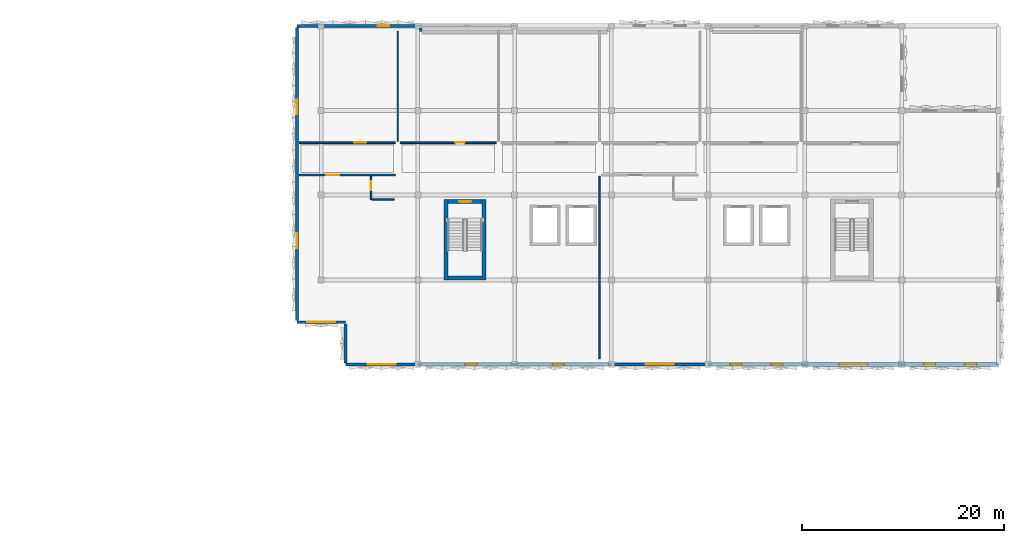
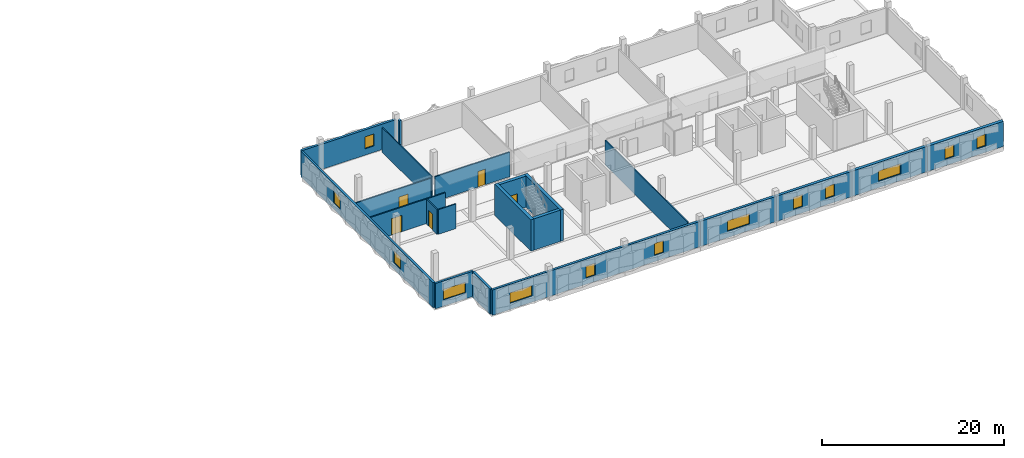
# One storey, part 9 of 18: 22 walls, 13 windows, 5 doors, 18 openings.
"""IFC4 building model written with IfcOpenShell, lengths in metres."""

from ifc_helpers import new_model, si_unit, direction, frame, frame_2d, origin, place, context, subcontext, project, spatial, rectangle, extrude, material, layer, layer_set, type_object, element, fill, save


model = new_model("IFC4")

# Units and contexts
model_context = context("Model", 3, precision=1e-05, world=origin(), true_north=direction((0.0, 1.0)))
body_context = subcontext(model_context, "Body", "Model", "MODEL_VIEW")
ifc_project = project(units=[si_unit("LENGTHUNIT", "METRE"), si_unit("AREAUNIT", "SQUARE_METRE"), si_unit("VOLUMEUNIT", "CUBIC_METRE"), si_unit("PLANEANGLEUNIT", "RADIAN"), si_unit("MASSUNIT", "GRAM", prefix="KILO")], contexts=[model_context])

# Site, building, storey
site_placement = place(None, origin())
site = spatial("IfcSite", under=ifc_project, at=site_placement, CompositionType="ELEMENT")
building_placement = place(site_placement, origin())
building = spatial("IfcBuilding", under=site, at=building_placement, Name="Oolite Switchyard Hospital", CompositionType="ELEMENT")
storey_placement = place(building_placement, frame((0.0, 0.0, 26.199951171875)))
storey = spatial("IfcBuildingStorey", under=building, at=storey_placement, Name="L06", CompositionType="ELEMENT", Elevation=26.199951171875)

# Wall, opening, window
ifc_material_1 = material(Name="Precast oolitic limestone architectural concrete C40/50", Category="masonry")
ifc_layer_1 = layer(ifc_material_1, 0.260009765625)
ifc_layer_set_1 = layer_set([ifc_layer_1], Name="WAL-EXT-260")
wall_type_1 = type_object("IfcWallType", Name="WAL-EXT-260", PredefinedType="SOLIDWALL", material=ifc_layer_set_1)
wall_1_placement = place(storey_placement, frame((146.39990234375, 105.0, 0.0), z_axis=(0.0, 0.0, 1.0), x_axis=(-1.0, 0.0, 0.0)))
wall_1 = element("IfcWall", 1, at=wall_1_placement, inside=storey, type_object=wall_type_1, Name="L06 Exterior Spandrel Wall 358", PredefinedType="SOLIDWALL", context=body_context, shape_type="SweptSolid", body=[
    extrude(rectangle(XDim=4.7998046875, YDim=0.260009765625, at=frame_2d((2.39990234375, 0.0))), origin(), (0.0, 0.0, 1.0), 3.39013671875),
])
opening_1_placement = place(wall_1_placement, frame((1.0, 0.0, 0.85009765625)))
opening_1 = element("IfcOpeningElement", 2, at=opening_1_placement, cuts=wall_1, Name="Opening WN-0232", PredefinedType="OPENING", context=body_context, shape_type="SweptSolid", body=[
    extrude(rectangle(XDim=2.800048828125, YDim=1.39990234375, at=frame_2d((1.39990234375, 0.699951171875))), frame((0.0, 0.14013671875, 0.0), z_axis=(0.0, -1.0, 0.0), x_axis=(1.0, 0.0, 0.0)), (0.0, 0.0, 1.0), 0.280029296875),
])
ifc_material_2 = material(Name="Thermally broken aluminum frame with laminated impact glazing", Category="aluminium")
window_type_1 = type_object("IfcWindowType", Name="WIN-IMP-280X140", PartitioningType="SINGLE_PANEL", PredefinedType="WINDOW", material=ifc_material_2)
window_1_placement = place(opening_1_placement, origin())
window_1 = element("IfcWindow", 3, at=window_1_placement, inside=storey, type_object=window_type_1, Name="L06 Hurricane Impact Window WN-0232", OverallHeight=1.39990234375, OverallWidth=2.800048828125, PartitioningType="SINGLE_PANEL", PredefinedType="WINDOW", context=body_context, shape_type="SweptSolid", body=[
    extrude(rectangle(XDim=2.800048828125, YDim=1.39990234375, at=frame_2d((1.39990234375, 0.699951171875))), frame((0.0, 0.030029296875, 0.0), z_axis=(0.0, -1.0, 0.0), x_axis=(1.0, 0.0, 0.0)), (0.0, 0.0, 1.0), 0.06005859375),
])
fill(opening_1, window_1)

# Wall
wall_2_placement = place(storey_placement, frame((153.8798828125, 134.199951171875, 0.0), z_axis=(0.0, 0.0, 1.0), x_axis=(0.0, -1.0, 0.0)))
element("IfcWall", 4, at=wall_2_placement, inside=storey, type_object=wall_type_1, Name="L06 Brace Alcove Cheek Wall 361", PredefinedType="SOLIDWALL", context=body_context, shape_type="SweptSolid", body=[
    extrude(rectangle(XDim=0.35986328125, YDim=0.260009765625, at=frame_2d((0.179931640625, 0.0))), origin(), (0.0, 0.0, 1.0), 3.39013671875),
])

# Wall, openings, windows
wall_3_placement = place(storey_placement, frame((141.60009765625, 105.159912109375, 0.0), z_axis=(0.0, 0.0, 1.0), x_axis=(0.0, 1.0, 0.0)))
wall_3 = element("IfcWall", 5, at=wall_3_placement, inside=storey, type_object=wall_type_1, Name="L06 Exterior Spandrel Wall 379", PredefinedType="SOLIDWALL", context=body_context, shape_type="SweptSolid", body=[
    extrude(rectangle(XDim=29.080078125, YDim=0.260009765625, at=frame_2d((14.5400390625, 0.0))), origin(), (0.0, 0.0, 1.0), 3.39013671875),
])
opening_2_placement = place(wall_3_placement, frame((7.18408203125, 0.0, 0.85009765625)))
opening_2 = element("IfcOpeningElement", 6, at=opening_2_placement, cuts=wall_3, Name="Opening WN-0242", PredefinedType="OPENING", context=body_context, shape_type="SweptSolid", body=[
    extrude(rectangle(XDim=1.449951171875, YDim=1.60009765625, at=frame_2d((0.72509765625, 0.800048828125))), frame((0.0, 0.14013671875, 0.0), z_axis=(0.0, -1.0, 0.0), x_axis=(1.0, 0.0, 0.0)), (0.0, 0.0, 1.0), 0.280029296875),
])
opening_3_placement = place(wall_3_placement, frame((20.446044921875, 0.0, 0.85009765625)))
opening_3 = element("IfcOpeningElement", 7, at=opening_3_placement, cuts=wall_3, Name="Opening WN-0243", PredefinedType="OPENING", context=body_context, shape_type="SweptSolid", body=[
    extrude(rectangle(XDim=1.449951171875, YDim=1.60009765625, at=frame_2d((0.72509765625, 0.800048828125))), frame((0.0, 0.14013671875, 0.0), z_axis=(0.0, -1.0, 0.0), x_axis=(1.0, 0.0, 0.0)), (0.0, 0.0, 1.0), 0.280029296875),
])
window_type_2 = type_object("IfcWindowType", Name="WIN-IMP-145X160", PartitioningType="SINGLE_PANEL", PredefinedType="WINDOW", material=ifc_material_2)
window_2_placement = place(opening_2_placement, origin())
window_2 = element("IfcWindow", 8, at=window_2_placement, inside=storey, type_object=window_type_2, Name="L06 Hurricane Impact Window WN-0242", OverallHeight=1.60009765625, OverallWidth=1.449951171875, PartitioningType="SINGLE_PANEL", PredefinedType="WINDOW", context=body_context, shape_type="SweptSolid", body=[
    extrude(rectangle(XDim=1.449951171875, YDim=1.60009765625, at=frame_2d((0.72509765625, 0.800048828125))), frame((0.0, 0.030029296875, 0.0), z_axis=(0.0, -1.0, 0.0), x_axis=(1.0, 0.0, 0.0)), (0.0, 0.0, 1.0), 0.06005859375),
])
fill(opening_2, window_2)
window_3_placement = place(opening_3_placement, origin())
window_3 = element("IfcWindow", 9, at=window_3_placement, inside=storey, type_object=window_type_2, Name="L06 Hurricane Impact Window WN-0243", OverallHeight=1.60009765625, OverallWidth=1.449951171875, PartitioningType="SINGLE_PANEL", PredefinedType="WINDOW", context=body_context, shape_type="SweptSolid", body=[
    extrude(rectangle(XDim=1.449951171875, YDim=1.60009765625, at=frame_2d((0.72509765625, 0.800048828125))), frame((0.0, 0.030029296875, 0.0), z_axis=(0.0, -1.0, 0.0), x_axis=(1.0, 0.0, 0.0)), (0.0, 0.0, 1.0), 0.06005859375),
])
fill(opening_3, window_3)

# Wall, opening, window
ifc_layer_2 = layer(ifc_material_1, 0.280029296875)
ifc_layer_set_2 = layer_set([ifc_layer_2], Name="WAL-EXT-280")
wall_type_2 = type_object("IfcWallType", Name="WAL-EXT-280", PredefinedType="SOLIDWALL", material=ifc_layer_set_2)
wall_4_placement = place(storey_placement, frame((153.60009765625, 100.800048828125, 0.0), z_axis=(0.0, 0.0, 1.0), x_axis=(-1.0, 0.0, 0.0)))
wall_4 = element("IfcWall", 10, at=wall_4_placement, inside=storey, type_object=wall_type_2, Name="L06 Exterior Spandrel Wall 352", PredefinedType="SOLIDWALL", context=body_context, shape_type="SweptSolid", body=[
    extrude(rectangle(XDim=7.2001953125, YDim=0.280029296875, at=frame_2d((3.60009765625, 0.0))), origin(), (0.0, 0.0, 1.0), 3.39013671875),
])
opening_4_placement = place(wall_4_placement, frame((2.199951171875, 0.0, 0.85009765625)))
opening_4 = element("IfcOpeningElement", 11, at=opening_4_placement, cuts=wall_4, Name="Opening WN-0223", PredefinedType="OPENING", context=body_context, shape_type="SweptSolid", body=[
    extrude(rectangle(XDim=2.800048828125, YDim=1.39990234375, at=frame_2d((1.39990234375, 0.699951171875))), frame((0.0, 0.14990234375, 0.0), z_axis=(0.0, -1.0, 0.0), x_axis=(1.0, 0.0, 0.0)), (0.0, 0.0, 1.0), 0.300048828125),
])
window_4_placement = place(opening_4_placement, origin())
window_4 = element("IfcWindow", 12, at=window_4_placement, inside=storey, type_object=window_type_1, Name="L06 Hurricane Impact Window WN-0223", OverallHeight=1.39990234375, OverallWidth=2.800048828125, PartitioningType="SINGLE_PANEL", PredefinedType="WINDOW", context=body_context, shape_type="SweptSolid", body=[
    extrude(rectangle(XDim=2.800048828125, YDim=1.39990234375, at=frame_2d((1.39990234375, 0.699951171875))), frame((0.0, 0.030029296875, 0.0), z_axis=(0.0, -1.0, 0.0), x_axis=(1.0, 0.0, 0.0)), (0.0, 0.0, 1.0), 0.06005859375),
])
fill(opening_4, window_4)

# Wall
wall_5_placement = place(storey_placement, frame((146.39990234375, 100.9599609375, 0.0), z_axis=(0.0, 0.0, 1.0), x_axis=(0.0, 1.0, 0.0)))
element("IfcWall", 13, at=wall_5_placement, inside=storey, type_object=wall_type_2, Name="L06 Exterior Spandrel Wall 380", PredefinedType="SOLIDWALL", context=body_context, shape_type="SweptSolid", body=[
    extrude(rectangle(XDim=3.880126953125, YDim=0.280029296875, at=frame_2d((1.93994140625, 0.0))), origin(), (0.0, 0.0, 1.0), 3.39013671875),
])

# Wall, openings, windows
ifc_layer_3 = layer(ifc_material_1, 0.300048828125)
ifc_layer_set_3 = layer_set([ifc_layer_3], Name="WAL-EXT-300")
wall_type_3 = type_object("IfcWallType", Name="WAL-EXT-300", PredefinedType="SOLIDWALL", material=ifc_layer_set_3)
wall_6_placement = place(storey_placement, frame((172.800048828125, 100.800048828125, 0.0), z_axis=(0.0, 0.0, 1.0), x_axis=(-1.0, 0.0, 0.0)))
wall_6 = element("IfcWall", 14, at=wall_6_placement, inside=storey, type_object=wall_type_3, Name="L06 Exterior Spandrel Wall 353", PredefinedType="SOLIDWALL", context=body_context, shape_type="SweptSolid", body=[
    extrude(rectangle(XDim=19.199951171875, YDim=0.300048828125, at=frame_2d((9.60009765625, 0.0))), origin(), (0.0, 0.0, 1.0), 3.39013671875),
])
opening_5_placement = place(wall_6_placement, frame((4.693115234375, 0.0, 0.85009765625)))
opening_5 = element("IfcOpeningElement", 15, at=opening_5_placement, cuts=wall_6, Name="Opening WN-0224", PredefinedType="OPENING", context=body_context, shape_type="SweptSolid", body=[
    extrude(rectangle(XDim=1.14990234375, YDim=1.60009765625, at=frame_2d((0.574951171875, 0.800048828125))), frame((0.0, 0.16015625, 0.0), z_axis=(0.0, -1.0, 0.0), x_axis=(1.0, 0.0, 0.0)), (0.0, 0.0, 1.0), 0.320068359375),
])
opening_6_placement = place(wall_6_placement, frame((13.35693359375, 0.0, 0.85009765625)))
opening_6 = element("IfcOpeningElement", 16, at=opening_6_placement, cuts=wall_6, Name="Opening WN-0225", PredefinedType="OPENING", context=body_context, shape_type="SweptSolid", body=[
    extrude(rectangle(XDim=1.14990234375, YDim=1.60009765625, at=frame_2d((0.574951171875, 0.800048828125))), frame((0.0, 0.16015625, 0.0), z_axis=(0.0, -1.0, 0.0), x_axis=(1.0, 0.0, 0.0)), (0.0, 0.0, 1.0), 0.320068359375),
])
window_type_3 = type_object("IfcWindowType", Name="WIN-IMP-115X160", PartitioningType="SINGLE_PANEL", PredefinedType="WINDOW", material=ifc_material_2)
window_5_placement = place(opening_5_placement, origin())
window_5 = element("IfcWindow", 17, at=window_5_placement, inside=storey, type_object=window_type_3, Name="L06 Hurricane Impact Window WN-0224", OverallHeight=1.60009765625, OverallWidth=1.14990234375, PartitioningType="SINGLE_PANEL", PredefinedType="WINDOW", context=body_context, shape_type="SweptSolid", body=[
    extrude(rectangle(XDim=1.14990234375, YDim=1.60009765625, at=frame_2d((0.574951171875, 0.800048828125))), frame((0.0, 0.030029296875, 0.0), z_axis=(0.0, -1.0, 0.0), x_axis=(1.0, 0.0, 0.0)), (0.0, 0.0, 1.0), 0.06005859375),
])
fill(opening_5, window_5)
window_6_placement = place(opening_6_placement, origin())
window_6 = element("IfcWindow", 18, at=window_6_placement, inside=storey, type_object=window_type_3, Name="L06 Hurricane Impact Window WN-0225", OverallHeight=1.60009765625, OverallWidth=1.14990234375, PartitioningType="SINGLE_PANEL", PredefinedType="WINDOW", context=body_context, shape_type="SweptSolid", body=[
    extrude(rectangle(XDim=1.14990234375, YDim=1.60009765625, at=frame_2d((0.574951171875, 0.800048828125))), frame((0.0, 0.030029296875, 0.0), z_axis=(0.0, -1.0, 0.0), x_axis=(1.0, 0.0, 0.0)), (0.0, 0.0, 1.0), 0.06005859375),
])
fill(opening_6, window_6)

# Wall, opening, window
wall_7_placement = place(storey_placement, frame((141.60009765625, 134.39990234375, 0.0), z_axis=(0.0, 0.0, 1.0), x_axis=(1.0, 0.0, 0.0)))
wall_7 = element("IfcWall", 19, at=wall_7_placement, inside=storey, type_object=wall_type_3, Name="L06 Exterior Spandrel Wall 360", PredefinedType="SOLIDWALL", context=body_context, shape_type="SweptSolid", body=[
    extrude(rectangle(XDim=12.0, YDim=0.300048828125, at=frame_2d((6.0, 0.0))), origin(), (0.0, 0.0, 1.0), 3.39013671875),
])
opening_7_placement = place(wall_7_placement, frame((8.029052734375, 0.0, 0.85009765625)))
opening_7 = element("IfcOpeningElement", 20, at=opening_7_placement, cuts=wall_7, Name="Opening WN-0235", PredefinedType="OPENING", context=body_context, shape_type="SweptSolid", body=[
    extrude(rectangle(XDim=1.14990234375, YDim=1.60009765625, at=frame_2d((0.574951171875, 0.800048828125))), frame((0.0, 0.16015625, 0.0), z_axis=(0.0, -1.0, 0.0), x_axis=(1.0, 0.0, 0.0)), (0.0, 0.0, 1.0), 0.320068359375),
])
window_7_placement = place(opening_7_placement, origin())
window_7 = element("IfcWindow", 21, at=window_7_placement, inside=storey, type_object=window_type_3, Name="L06 Hurricane Impact Window WN-0235", OverallHeight=1.60009765625, OverallWidth=1.14990234375, PartitioningType="SINGLE_PANEL", PredefinedType="WINDOW", context=body_context, shape_type="SweptSolid", body=[
    extrude(rectangle(XDim=1.14990234375, YDim=1.60009765625, at=frame_2d((0.574951171875, 0.800048828125))), frame((0.0, 0.030029296875, 0.0), z_axis=(0.0, -1.0, 0.0), x_axis=(1.0, 0.0, 0.0)), (0.0, 0.0, 1.0), 0.06005859375),
])
fill(opening_7, window_7)

ifc_layer_4 = layer(ifc_material_1, 0.320068359375)
ifc_layer_set_4 = layer_set([ifc_layer_4], Name="WAL-EXT-320")
wall_type_4 = type_object("IfcWallType", Name="WAL-EXT-320", PredefinedType="SOLIDWALL", material=ifc_layer_set_4)
wall_8_placement = place(storey_placement, frame((182.39990234375, 100.800048828125, 0.0), z_axis=(0.0, 0.0, 1.0), x_axis=(-1.0, 0.0, 0.0)))
wall_8 = element("IfcWall", 22, at=wall_8_placement, inside=storey, type_object=wall_type_4, Name="L06 Exterior Spandrel Wall 354", PredefinedType="SOLIDWALL", context=body_context, shape_type="SweptSolid", body=[
    extrude(rectangle(XDim=9.599853515625, YDim=0.320068359375, at=frame_2d((4.7998046875, 0.0))), origin(), (0.0, 0.0, 1.0), 3.39013671875),
])
opening_8_placement = place(wall_8_placement, frame((3.39990234375, 0.0, 0.85009765625)))
opening_8 = element("IfcOpeningElement", 23, at=opening_8_placement, cuts=wall_8, Name="Opening WN-0226", PredefinedType="OPENING", context=body_context, shape_type="SweptSolid", body=[
    extrude(rectangle(XDim=2.800048828125, YDim=1.39990234375, at=frame_2d((1.39990234375, 0.699951171875))), frame((0.0, 0.169921875, 0.0), z_axis=(0.0, -1.0, 0.0), x_axis=(1.0, 0.0, 0.0)), (0.0, 0.0, 1.0), 0.340087890625),
])
window_8_placement = place(opening_8_placement, origin())
window_8 = element("IfcWindow", 24, at=window_8_placement, inside=storey, type_object=window_type_1, Name="L06 Hurricane Impact Window WN-0226", OverallHeight=1.39990234375, OverallWidth=2.800048828125, PartitioningType="SINGLE_PANEL", PredefinedType="WINDOW", context=body_context, shape_type="SweptSolid", body=[
    extrude(rectangle(XDim=2.800048828125, YDim=1.39990234375, at=frame_2d((1.39990234375, 0.699951171875))), frame((0.0, 0.030029296875, 0.0), z_axis=(0.0, -1.0, 0.0), x_axis=(1.0, 0.0, 0.0)), (0.0, 0.0, 1.0), 0.06005859375),
])
fill(opening_8, window_8)

# Wall, openings, windows
ifc_layer_5 = layer(ifc_material_1, 0.340087890625)
ifc_layer_set_5 = layer_set([ifc_layer_5], Name="WAL-EXT-340")
wall_type_5 = type_object("IfcWallType", Name="WAL-EXT-340", PredefinedType="SOLIDWALL", material=ifc_layer_set_5)
wall_9_placement = place(storey_placement, frame((192.0, 100.800048828125, 0.0), z_axis=(0.0, 0.0, 1.0), x_axis=(-1.0, 0.0, 0.0)))
wall_9 = element("IfcWall", 25, at=wall_9_placement, inside=storey, type_object=wall_type_5, Name="L06 Exterior Spandrel Wall 355", PredefinedType="SOLIDWALL", context=body_context, shape_type="SweptSolid", body=[
    extrude(rectangle(XDim=9.60009765625, YDim=0.340087890625, at=frame_2d((4.800048828125, 0.0))), origin(), (0.0, 0.0, 1.0), 3.39013671875),
])
opening_9_placement = place(wall_9_placement, frame((2.197021484375, 0.0, 0.85009765625)))
opening_9 = element("IfcOpeningElement", 26, at=opening_9_placement, cuts=wall_9, Name="Opening WN-0227", PredefinedType="OPENING", context=body_context, shape_type="SweptSolid", body=[
    extrude(rectangle(XDim=1.14990234375, YDim=1.60009765625, at=frame_2d((0.574951171875, 0.800048828125))), frame((0.0, 0.18017578125, 0.0), z_axis=(0.0, -1.0, 0.0), x_axis=(1.0, 0.0, 0.0)), (0.0, 0.0, 1.0), 0.360107421875),
])
opening_10_placement = place(wall_9_placement, frame((6.2529296875, 0.0, 0.85009765625)))
opening_10 = element("IfcOpeningElement", 27, at=opening_10_placement, cuts=wall_9, Name="Opening WN-0228", PredefinedType="OPENING", context=body_context, shape_type="SweptSolid", body=[
    extrude(rectangle(XDim=1.14990234375, YDim=1.60009765625, at=frame_2d((0.574951171875, 0.800048828125))), frame((0.0, 0.18017578125, 0.0), z_axis=(0.0, -1.0, 0.0), x_axis=(1.0, 0.0, 0.0)), (0.0, 0.0, 1.0), 0.360107421875),
])
window_9_placement = place(opening_9_placement, origin())
window_9 = element("IfcWindow", 28, at=window_9_placement, inside=storey, type_object=window_type_3, Name="L06 Hurricane Impact Window WN-0227", OverallHeight=1.60009765625, OverallWidth=1.14990234375, PartitioningType="SINGLE_PANEL", PredefinedType="WINDOW", context=body_context, shape_type="SweptSolid", body=[
    extrude(rectangle(XDim=1.14990234375, YDim=1.60009765625, at=frame_2d((0.574951171875, 0.800048828125))), frame((0.0, 0.030029296875, 0.0), z_axis=(0.0, -1.0, 0.0), x_axis=(1.0, 0.0, 0.0)), (0.0, 0.0, 1.0), 0.06005859375),
])
fill(opening_9, window_9)
window_10_placement = place(opening_10_placement, origin())
window_10 = element("IfcWindow", 29, at=window_10_placement, inside=storey, type_object=window_type_3, Name="L06 Hurricane Impact Window WN-0228", OverallHeight=1.60009765625, OverallWidth=1.14990234375, PartitioningType="SINGLE_PANEL", PredefinedType="WINDOW", context=body_context, shape_type="SweptSolid", body=[
    extrude(rectangle(XDim=1.14990234375, YDim=1.60009765625, at=frame_2d((0.574951171875, 0.800048828125))), frame((0.0, 0.030029296875, 0.0), z_axis=(0.0, -1.0, 0.0), x_axis=(1.0, 0.0, 0.0)), (0.0, 0.0, 1.0), 0.06005859375),
])
fill(opening_10, window_10)

# Wall, opening, window
ifc_layer_6 = layer(ifc_material_1, 0.360107421875)
ifc_layer_set_6 = layer_set([ifc_layer_6], Name="WAL-EXT-360")
wall_type_6 = type_object("IfcWallType", Name="WAL-EXT-360", PredefinedType="SOLIDWALL", material=ifc_layer_set_6)
wall_10_placement = place(storey_placement, frame((201.60009765625, 100.800048828125, 0.0), z_axis=(0.0, 0.0, 1.0), x_axis=(-1.0, 0.0, 0.0)))
wall_10 = element("IfcWall", 30, at=wall_10_placement, inside=storey, type_object=wall_type_6, Name="L06 Exterior Spandrel Wall 356", PredefinedType="SOLIDWALL", context=body_context, shape_type="SweptSolid", body=[
    extrude(rectangle(XDim=9.60009765625, YDim=0.360107421875, at=frame_2d((4.800048828125, 0.0))), origin(), (0.0, 0.0, 1.0), 3.39013671875),
])
opening_11_placement = place(wall_10_placement, frame((3.39990234375, 0.0, 0.85009765625)))
opening_11 = element("IfcOpeningElement", 31, at=opening_11_placement, cuts=wall_10, Name="Opening WN-0229", PredefinedType="OPENING", context=body_context, shape_type="SweptSolid", body=[
    extrude(rectangle(XDim=2.800048828125, YDim=1.39990234375, at=frame_2d((1.39990234375, 0.699951171875))), frame((0.0, 0.18994140625, 0.0), z_axis=(0.0, -1.0, 0.0), x_axis=(1.0, 0.0, 0.0)), (0.0, 0.0, 1.0), 0.380126953125),
])
window_11_placement = place(opening_11_placement, origin())
window_11 = element("IfcWindow", 32, at=window_11_placement, inside=storey, type_object=window_type_1, Name="L06 Hurricane Impact Window WN-0229", OverallHeight=1.39990234375, OverallWidth=2.800048828125, PartitioningType="SINGLE_PANEL", PredefinedType="WINDOW", context=body_context, shape_type="SweptSolid", body=[
    extrude(rectangle(XDim=2.800048828125, YDim=1.39990234375, at=frame_2d((1.39990234375, 0.699951171875))), frame((0.0, 0.030029296875, 0.0), z_axis=(0.0, -1.0, 0.0), x_axis=(1.0, 0.0, 0.0)), (0.0, 0.0, 1.0), 0.06005859375),
])
fill(opening_11, window_11)

# Wall, openings, windows
ifc_layer_7 = layer(ifc_material_1, 0.3798828125)
ifc_layer_set_7 = layer_set([ifc_layer_7], Name="WAL-EXT-380")
wall_type_7 = type_object("IfcWallType", Name="WAL-EXT-380", PredefinedType="SOLIDWALL", material=ifc_layer_set_7)
wall_11_placement = place(storey_placement, frame((211.199951171875, 100.800048828125, 0.0), z_axis=(0.0, 0.0, 1.0), x_axis=(-1.0, 0.0, 0.0)))
wall_11 = element("IfcWall", 33, at=wall_11_placement, inside=storey, type_object=wall_type_7, Name="L06 Exterior Spandrel Wall 357", PredefinedType="SOLIDWALL", context=body_context, shape_type="SweptSolid", body=[
    extrude(rectangle(XDim=9.599853515625, YDim=0.3798828125, at=frame_2d((4.7998046875, 0.0))), origin(), (0.0, 0.0, 1.0), 3.39013671875),
])
opening_12_placement = place(wall_11_placement, frame((2.197021484375, 0.0, 0.85009765625)))
opening_12 = element("IfcOpeningElement", 34, at=opening_12_placement, cuts=wall_11, Name="Opening WN-0230", PredefinedType="OPENING", context=body_context, shape_type="SweptSolid", body=[
    extrude(rectangle(XDim=1.14990234375, YDim=1.60009765625, at=frame_2d((0.574951171875, 0.800048828125))), frame((0.0, 0.199951171875, 0.0), z_axis=(0.0, -1.0, 0.0), x_axis=(1.0, 0.0, 0.0)), (0.0, 0.0, 1.0), 0.39990234375),
])
opening_13_placement = place(wall_11_placement, frame((6.2529296875, 0.0, 0.85009765625)))
opening_13 = element("IfcOpeningElement", 35, at=opening_13_placement, cuts=wall_11, Name="Opening WN-0231", PredefinedType="OPENING", context=body_context, shape_type="SweptSolid", body=[
    extrude(rectangle(XDim=1.14990234375, YDim=1.60009765625, at=frame_2d((0.574951171875, 0.800048828125))), frame((0.0, 0.199951171875, 0.0), z_axis=(0.0, -1.0, 0.0), x_axis=(1.0, 0.0, 0.0)), (0.0, 0.0, 1.0), 0.39990234375),
])
window_12_placement = place(opening_12_placement, origin())
window_12 = element("IfcWindow", 36, at=window_12_placement, inside=storey, type_object=window_type_3, Name="L06 Hurricane Impact Window WN-0230", OverallHeight=1.60009765625, OverallWidth=1.14990234375, PartitioningType="SINGLE_PANEL", PredefinedType="WINDOW", context=body_context, shape_type="SweptSolid", body=[
    extrude(rectangle(XDim=1.14990234375, YDim=1.60009765625, at=frame_2d((0.574951171875, 0.800048828125))), frame((0.0, 0.030029296875, 0.0), z_axis=(0.0, -1.0, 0.0), x_axis=(1.0, 0.0, 0.0)), (0.0, 0.0, 1.0), 0.06005859375),
])
fill(opening_12, window_12)
window_13_placement = place(opening_13_placement, origin())
window_13 = element("IfcWindow", 37, at=window_13_placement, inside=storey, type_object=window_type_3, Name="L06 Hurricane Impact Window WN-0231", OverallHeight=1.60009765625, OverallWidth=1.14990234375, PartitioningType="SINGLE_PANEL", PredefinedType="WINDOW", context=body_context, shape_type="SweptSolid", body=[
    extrude(rectangle(XDim=1.14990234375, YDim=1.60009765625, at=frame_2d((0.574951171875, 0.800048828125))), frame((0.0, 0.030029296875, 0.0), z_axis=(0.0, -1.0, 0.0), x_axis=(1.0, 0.0, 0.0)), (0.0, 0.0, 1.0), 0.06005859375),
])
fill(opening_13, window_13)

# Walls
ifc_material_3 = material(Name="Moisture-resistant gypsum board on steel studs", Category="steel")
ifc_layer_8 = layer(ifc_material_3, 0.135009765625)
ifc_layer_set_8 = layer_set([ifc_layer_8], Name="WAL-PART-135")
wall_type_8 = type_object("IfcWallType", Name="WAL-PART-135", PredefinedType="PARTITIONING", material=ifc_layer_set_8)
wall_12_placement = place(storey_placement, frame((151.60009765625, 122.949951171875, 0.0), z_axis=(0.0, 0.0, 1.0), x_axis=(0.0, 1.0, 0.0)))
element("IfcWall", 38, at=wall_12_placement, inside=storey, type_object=wall_type_8, Name="L06 Interior Partition 880", PredefinedType="PARTITIONING", context=body_context, shape_type="SweptSolid", body=[
    extrude(rectangle(XDim=10.900146484375, YDim=0.135009765625, at=frame_2d((5.4501953125, 0.0))), origin(), (0.0, 0.0, 1.0), 3.300048828125),
])
wall_13_placement = place(storey_placement, frame((171.60009765625, 101.35009765625, 0.0), z_axis=(0.0, 0.0, 1.0), x_axis=(0.0, 1.0, 0.0)))
element("IfcWall", 39, at=wall_13_placement, inside=storey, type_object=wall_type_8, Name="L06 Interior Partition 886", PredefinedType="PARTITIONING", context=body_context, shape_type="SweptSolid", body=[
    extrude(rectangle(XDim=18.099853515625, YDim=0.135009765625, at=frame_2d((9.0498046875, 0.0))), origin(), (0.0, 0.0, 1.0), 3.300048828125),
])

# Wall, opening, door
ifc_layer_9 = layer(ifc_material_3, 0.14990234375)
ifc_layer_set_9 = layer_set([ifc_layer_9], Name="WAL-PART-150")
wall_type_9 = type_object("IfcWallType", Name="WAL-PART-150", PredefinedType="PARTITIONING", material=ifc_layer_set_9)
wall_14_placement = place(storey_placement, frame((148.949951171875, 117.14990234375, 0.0), z_axis=(0.0, 0.0, 1.0), x_axis=(0.0, 1.0, 0.0)))
wall_14 = element("IfcWall", 40, at=wall_14_placement, inside=storey, type_object=wall_type_9, Name="L06 Interior Partition 876", PredefinedType="PARTITIONING", context=body_context, shape_type="SweptSolid", body=[
    extrude(rectangle(XDim=2.300048828125, YDim=0.14990234375, at=frame_2d((1.14990234375, 0.0))), origin(), (0.0, 0.0, 1.0), 3.300048828125),
])
opening_14_placement = place(wall_14_placement, frame((0.949951171875, 0.0, 0.0)))
opening_14 = element("IfcOpeningElement", 41, at=opening_14_placement, cuts=wall_14, Name="Opening D-0486", PredefinedType="OPENING", context=body_context, shape_type="SweptSolid", body=[
    extrude(rectangle(XDim=0.89990234375, YDim=2.10009765625, at=frame_2d((0.449951171875, 1.050048828125))), frame((0.0, 0.0849609375, 0.0), z_axis=(0.0, -1.0, 0.0), x_axis=(1.0, 0.0, 0.0)), (0.0, 0.0, 1.0), 0.169921875),
])
ifc_material_4 = material(Name="Solid-core antimicrobial hardwood leaf in steel frame", Category="steel")
door_type_1 = type_object("IfcDoorType", Name="DR-BATH-090X210", OperationType="NOTDEFINED", PredefinedType="DOOR", material=ifc_material_4)
door_1_placement = place(opening_14_placement, origin())
door_1 = element("IfcDoor", 42, at=door_1_placement, inside=storey, type_object=door_type_1, Name="L06 Interior Door D-0486", OperationType="SINGLE_SWING_RIGHT", OverallHeight=2.10009765625, OverallWidth=0.89990234375, PredefinedType="DOOR", context=body_context, shape_type="SweptSolid", body=[
    extrude(rectangle(XDim=0.89990234375, YDim=2.10009765625, at=frame_2d((0.449951171875, 1.050048828125))), frame((0.0, 0.02490234375, 0.0), z_axis=(0.0, -1.0, 0.0), x_axis=(1.0, 0.0, 0.0)), (0.0, 0.0, 1.0), 0.050048828125),
])
fill(opening_14, door_1)

# Wall
wall_15_placement = place(storey_placement, frame((149.050048828125, 117.14990234375, 0.0), z_axis=(0.0, 0.0, 1.0), x_axis=(1.0, 0.0, 0.0)))
element("IfcWall", 43, at=wall_15_placement, inside=storey, type_object=wall_type_9, Name="L06 Interior Partition 877", PredefinedType="PARTITIONING", context=body_context, shape_type="SweptSolid", body=[
    extrude(rectangle(XDim=2.199951171875, YDim=0.14990234375, at=frame_2d((1.10009765625, 0.0))), origin(), (0.0, 0.0, 1.0), 3.300048828125),
])

# Wall, opening, door
ifc_layer_10 = layer(ifc_material_3, 0.1650390625)
ifc_layer_set_10 = layer_set([ifc_layer_10], Name="WAL-PART-165")
wall_type_10 = type_object("IfcWallType", Name="WAL-PART-165", PredefinedType="PARTITIONING", material=ifc_layer_set_10)
wall_16_placement = place(storey_placement, frame((141.85009765625, 119.60009765625, 0.0), z_axis=(0.0, 0.0, 1.0), x_axis=(1.0, 0.0, 0.0)))
wall_16 = element("IfcWall", 44, at=wall_16_placement, inside=storey, type_object=wall_type_10, Name="L06 Interior Partition 875", PredefinedType="PARTITIONING", context=body_context, shape_type="SweptSolid", body=[
    extrude(rectangle(XDim=9.5, YDim=0.1650390625, at=frame_2d((4.75, 0.0))), origin(), (0.0, 0.0, 1.0), 3.300048828125),
])
opening_15_placement = place(wall_16_placement, frame((2.64990234375, 0.0, 0.0)))
opening_15 = element("IfcOpeningElement", 45, at=opening_15_placement, cuts=wall_16, Name="Opening D-0485", PredefinedType="OPENING", context=body_context, shape_type="SweptSolid", body=[
    extrude(rectangle(XDim=1.300048828125, YDim=2.199951171875, at=frame_2d((0.64990234375, 1.10009765625))), frame((0.0, 0.092529296875, 0.0), z_axis=(0.0, -1.0, 0.0), x_axis=(1.0, 0.0, 0.0)), (0.0, 0.0, 1.0), 0.18505859375),
])
door_type_2 = type_object("IfcDoorType", Name="DR-WARD-130X220", OperationType="NOTDEFINED", PredefinedType="DOOR", material=ifc_material_4)
door_2_placement = place(opening_15_placement, origin())
door_2 = element("IfcDoor", 46, at=door_2_placement, inside=storey, type_object=door_type_2, Name="L06 Interior Door D-0485", OperationType="SINGLE_SWING_LEFT", OverallHeight=2.199951171875, OverallWidth=1.300048828125, PredefinedType="DOOR", context=body_context, shape_type="SweptSolid", body=[
    extrude(rectangle(XDim=1.300048828125, YDim=2.199951171875, at=frame_2d((0.64990234375, 1.10009765625))), frame((0.0, 0.02490234375, 0.0), z_axis=(0.0, -1.0, 0.0), x_axis=(1.0, 0.0, 0.0)), (0.0, 0.0, 1.0), 0.050048828125),
])
fill(opening_15, door_2)

wall_17_placement = place(storey_placement, frame((141.85009765625, 122.800048828125, 0.0), z_axis=(0.0, 0.0, 1.0), x_axis=(1.0, 0.0, 0.0)))
wall_17 = element("IfcWall", 47, at=wall_17_placement, inside=storey, type_object=wall_type_10, Name="L06 Interior Partition 878", PredefinedType="PARTITIONING", context=body_context, shape_type="SweptSolid", body=[
    extrude(rectangle(XDim=9.5, YDim=0.1650390625, at=frame_2d((4.75, 0.0))), origin(), (0.0, 0.0, 1.0), 3.300048828125),
])
opening_16_placement = place(wall_17_placement, frame((5.449951171875, 0.0, 0.0)))
opening_16 = element("IfcOpeningElement", 48, at=opening_16_placement, cuts=wall_17, Name="Opening D-0487", PredefinedType="OPENING", context=body_context, shape_type="SweptSolid", body=[
    extrude(rectangle(XDim=1.14990234375, YDim=2.199951171875, at=frame_2d((0.574951171875, 1.10009765625))), frame((0.0, 0.092529296875, 0.0), z_axis=(0.0, -1.0, 0.0), x_axis=(1.0, 0.0, 0.0)), (0.0, 0.0, 1.0), 0.18505859375),
])
door_type_3 = type_object("IfcDoorType", Name="DR-CLIN-115X220", OperationType="NOTDEFINED", PredefinedType="DOOR", material=ifc_material_4)
door_3_placement = place(opening_16_placement, origin())
door_3 = element("IfcDoor", 49, at=door_3_placement, inside=storey, type_object=door_type_3, Name="L06 Interior Door D-0487", OperationType="SINGLE_SWING_RIGHT", OverallHeight=2.199951171875, OverallWidth=1.14990234375, PredefinedType="DOOR", context=body_context, shape_type="SweptSolid", body=[
    extrude(rectangle(XDim=1.14990234375, YDim=2.199951171875, at=frame_2d((0.574951171875, 1.10009765625))), frame((0.0, 0.02490234375, 0.0), z_axis=(0.0, -1.0, 0.0), x_axis=(1.0, 0.0, 0.0)), (0.0, 0.0, 1.0), 0.050048828125),
])
fill(opening_16, door_3)

wall_18_placement = place(storey_placement, frame((151.85009765625, 122.800048828125, 0.0), z_axis=(0.0, 0.0, 1.0), x_axis=(1.0, 0.0, 0.0)))
wall_18 = element("IfcWall", 50, at=wall_18_placement, inside=storey, type_object=wall_type_10, Name="L06 Interior Partition 879", PredefinedType="PARTITIONING", context=body_context, shape_type="SweptSolid", body=[
    extrude(rectangle(XDim=9.5, YDim=0.1650390625, at=frame_2d((4.75, 0.0))), origin(), (0.0, 0.0, 1.0), 3.300048828125),
])
opening_17_placement = place(wall_18_placement, frame((5.449951171875, 0.0, 0.0)))
opening_17 = element("IfcOpeningElement", 51, at=opening_17_placement, cuts=wall_18, Name="Opening D-0488", PredefinedType="OPENING", context=body_context, shape_type="SweptSolid", body=[
    extrude(rectangle(XDim=0.949951171875, YDim=2.10009765625, at=frame_2d((0.47509765625, 1.050048828125))), frame((0.0, 0.092529296875, 0.0), z_axis=(0.0, -1.0, 0.0), x_axis=(1.0, 0.0, 0.0)), (0.0, 0.0, 1.0), 0.18505859375),
])
door_type_4 = type_object("IfcDoorType", Name="DR-BATH-095X210", OperationType="NOTDEFINED", PredefinedType="DOOR", material=ifc_material_4)
door_4_placement = place(opening_17_placement, origin())
door_4 = element("IfcDoor", 52, at=door_4_placement, inside=storey, type_object=door_type_4, Name="L06 Interior Door D-0488", OperationType="SINGLE_SWING_LEFT", OverallHeight=2.10009765625, OverallWidth=0.949951171875, PredefinedType="DOOR", context=body_context, shape_type="SweptSolid", body=[
    extrude(rectangle(XDim=0.949951171875, YDim=2.10009765625, at=frame_2d((0.47509765625, 1.050048828125))), frame((0.0, 0.02490234375, 0.0), z_axis=(0.0, -1.0, 0.0), x_axis=(1.0, 0.0, 0.0)), (0.0, 0.0, 1.0), 0.050048828125),
])
fill(opening_17, door_4)

# Walls
ifc_material_5 = material(Name="Concrete C50/60", Category="concrete")
ifc_layer_11 = layer(ifc_material_5, 0.39990234375)
ifc_layer_set_11 = layer_set([ifc_layer_11], Name="WAL-SHR-400")
wall_type_11 = type_object("IfcWallType", Name="WAL-SHR-400", PredefinedType="SHEAR", material=ifc_layer_set_11)
wall_19_placement = place(storey_placement, frame((156.39990234375, 117.14990234375, 0.0), z_axis=(0.0, 0.0, 1.0), x_axis=(0.0, -1.0, 0.0)))
element("IfcWall", 53, at=wall_19_placement, inside=storey, type_object=wall_type_11, Name="L06 Core Shear Wall ST-03", PredefinedType="SHEAR", context=body_context, shape_type="SweptSolid", body=[
    extrude(rectangle(XDim=7.949951171875, YDim=0.39990234375, at=frame_2d((3.97509765625, 0.0))), origin(), (0.0, 0.0, 1.0), 4.199951171875),
])
wall_20_placement = place(storey_placement, frame((156.60009765625, 109.39990234375, 0.0), z_axis=(0.0, 0.0, 1.0), x_axis=(1.0, 0.0, 0.0)))
element("IfcWall", 54, at=wall_20_placement, inside=storey, type_object=wall_type_11, Name="L06 Core Shear Wall ST-03", PredefinedType="SHEAR", context=body_context, shape_type="SweptSolid", body=[
    extrude(rectangle(XDim=3.35986328125, YDim=0.39990234375, at=frame_2d((1.679931640625, 0.0))), origin(), (0.0, 0.0, 1.0), 4.199951171875),
])
wall_21_placement = place(storey_placement, frame((160.159912109375, 109.199951171875, 0.0), z_axis=(0.0, 0.0, 1.0), x_axis=(0.0, 1.0, 0.0)))
element("IfcWall", 55, at=wall_21_placement, inside=storey, type_object=wall_type_11, Name="L06 Core Shear Wall ST-03", PredefinedType="SHEAR", context=body_context, shape_type="SweptSolid", body=[
    extrude(rectangle(XDim=7.949951171875, YDim=0.39990234375, at=frame_2d((3.97509765625, 0.0))), origin(), (0.0, 0.0, 1.0), 4.199951171875),
])

# Wall, opening, door
wall_22_placement = place(storey_placement, frame((159.9599609375, 116.949951171875, 0.0), z_axis=(0.0, 0.0, 1.0), x_axis=(-1.0, 0.0, 0.0)))
wall_22 = element("IfcWall", 56, at=wall_22_placement, inside=storey, type_object=wall_type_11, Name="L06 Core Shear Wall ST-03", PredefinedType="SHEAR", context=body_context, shape_type="SweptSolid", body=[
    extrude(rectangle(XDim=3.35986328125, YDim=0.39990234375, at=frame_2d((1.679931640625, 0.0))), origin(), (0.0, 0.0, 1.0), 4.199951171875),
])
opening_18_placement = place(wall_22_placement, frame((1.080078125, 0.0, 0.0)))
opening_18 = element("IfcOpeningElement", 57, at=opening_18_placement, cuts=wall_22, Name="Opening SD-021", PredefinedType="OPENING", context=body_context, shape_type="SweptSolid", body=[
    extrude(rectangle(XDim=1.199951171875, YDim=2.199951171875, at=frame_2d((0.60009765625, 1.10009765625))), frame((0.0, 0.2099609375, 0.0), z_axis=(0.0, -1.0, 0.0), x_axis=(1.0, 0.0, 0.0)), (0.0, 0.0, 1.0), 0.419921875),
])
ifc_material_6 = material(Name="Hollow metal fire-rated steel door assembly", Category="steel")
door_type_5 = type_object("IfcDoorType", Name="DR-STR-120X220", OperationType="NOTDEFINED", PredefinedType="DOOR", material=ifc_material_6)
door_5_placement = place(opening_18_placement, origin())
door_5 = element("IfcDoor", 58, at=door_5_placement, inside=storey, type_object=door_type_5, Name="L06 ST-03 Exit Stair Door SD-021", OperationType="SINGLE_SWING_LEFT", OverallHeight=2.199951171875, OverallWidth=1.199951171875, PredefinedType="DOOR", context=body_context, shape_type="SweptSolid", body=[
    extrude(rectangle(XDim=1.199951171875, YDim=2.199951171875, at=frame_2d((0.60009765625, 1.10009765625))), frame((0.0, 0.02490234375, 0.0), z_axis=(0.0, -1.0, 0.0), x_axis=(1.0, 0.0, 0.0)), (0.0, 0.0, 1.0), 0.050048828125),
])
fill(opening_18, door_5)

save(model, "model.ifc")
